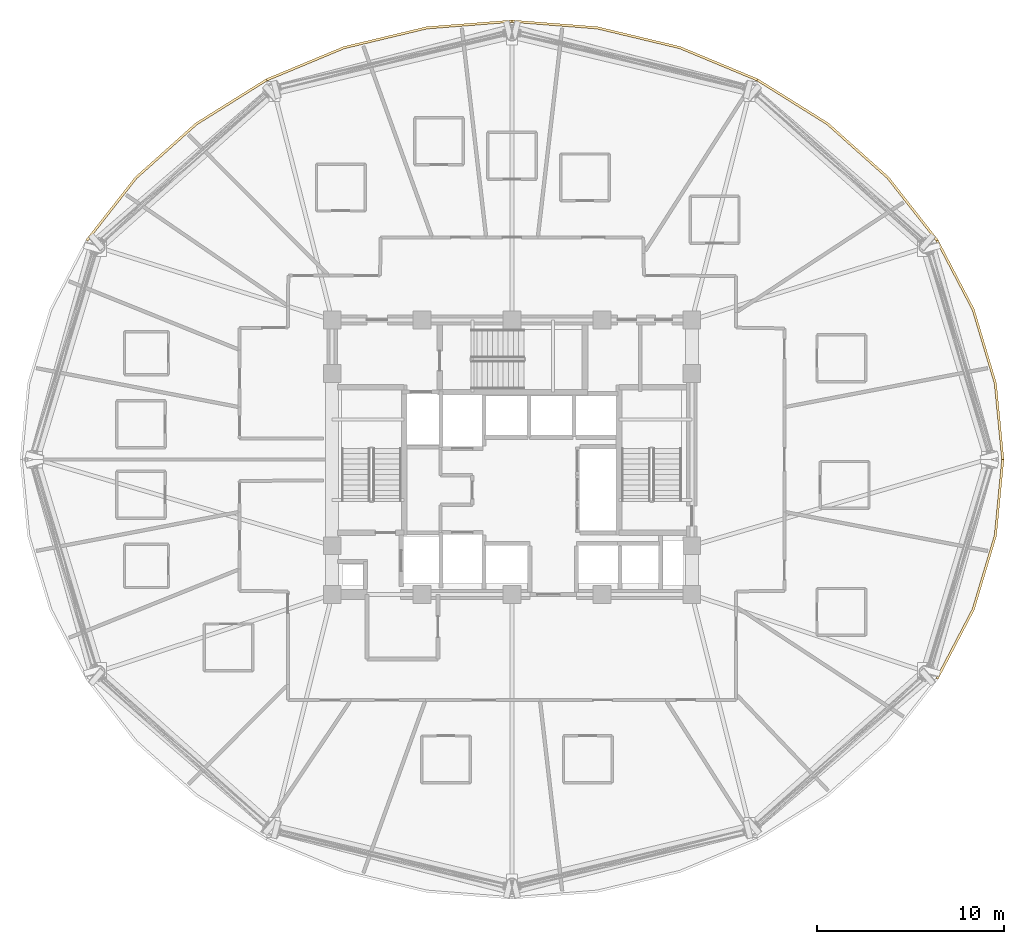
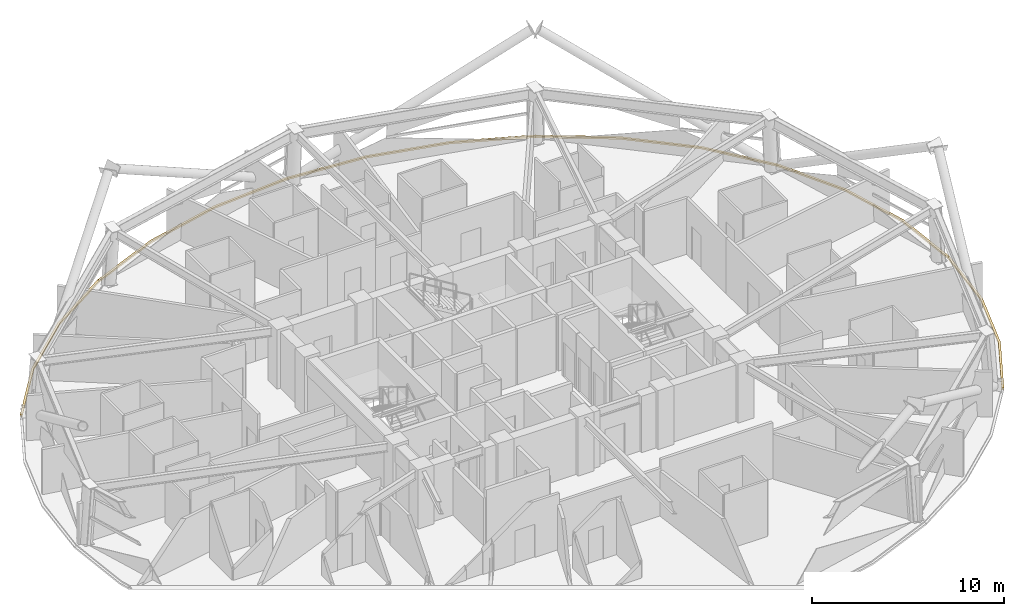
# One storey, part 14 of 14: 6 coverings.
"""IFC4 building model written with IfcOpenShell, lengths in metres."""

from ifc_helpers import new_model, si_unit, direction, frame, origin, place, context, subcontext, project, spatial, polyline, outline, extrude, material, layer, layer_set, type_object, element, save


model = new_model("IFC4")

# Units and contexts
model_context = context("Model", 3, precision=1e-05, world=origin(), true_north=direction((0.0, 1.0)))
body_context = subcontext(model_context, "Body", "Model", "MODEL_VIEW")
ifc_project = project(units=[si_unit("LENGTHUNIT", "METRE"), si_unit("AREAUNIT", "SQUARE_METRE"), si_unit("VOLUMEUNIT", "CUBIC_METRE"), si_unit("PLANEANGLEUNIT", "RADIAN"), si_unit("MASSUNIT", "GRAM", prefix="KILO")], contexts=[model_context])

# Site, building, storey
site_placement = place(None, origin())
site = spatial("IfcSite", under=ifc_project, at=site_placement, CompositionType="ELEMENT")
building_placement = place(site_placement, origin())
building = spatial("IfcBuilding", under=site, at=building_placement, Name="Vantalir Tower", CompositionType="ELEMENT")
storey_placement = place(building_placement, frame((0.0, 0.0, 112.199951171875)))
storey = spatial("IfcBuildingStorey", under=building, at=storey_placement, Name="L27", CompositionType="ELEMENT", Elevation=112.199951171875)

# Coverings
ifc_material = material(Name="Anodised champagne aluminium sill fascia", Category="aluminium")
ifc_layer = layer(ifc_material, 0.125)
ifc_layer_set = layer_set([ifc_layer], Name="Anodised champagne aluminium sill fascia")
covering_type = type_object("IfcCoveringType", Name="COV-SLAB-FASCIA-125", PredefinedType="CLADDING", material=ifc_layer_set)
covering_1_placement = place(storey_placement, frame((0.0, 0.0, -0.179931640625)))
element("IfcCovering", 1, at=covering_1_placement, inside=storey, type_object=covering_type, Name="L27 Perimeter Slab-Edge Sill Fascia 01", PredefinedType="CLADDING", context=body_context, shape_type="SweptSolid", body=[
    extrude(outline(polyline([(57.762939453125, 25.0), (57.364013671875, 29.073974609375), (56.178955078125, 33.02490234375), (54.243896484375, 36.73095703125), (54.135986328125, 36.6689453125), (56.06201171875, 32.98193359375), (57.240966796875, 29.052978515625), (57.637939453125, 25.0), (57.762939453125, 25.0)])), origin(), (0.0, 0.0, 1.0), 0.10498046875),
])
covering_2_placement = place(storey_placement, frame((0.0, 0.0, -0.179931640625)))
element("IfcCovering", 2, at=covering_2_placement, inside=storey, type_object=covering_type, Name="L27 Perimeter Slab-Edge Sill Fascia 02", PredefinedType="CLADDING", context=body_context, shape_type="SweptSolid", body=[
    extrude(outline(polyline([(54.243896484375, 36.73095703125), (51.618896484375, 40.08203125), (48.382080078125, 42.97412109375), (44.632080078125, 45.320068359375), (44.569091796875, 45.2109375), (48.301025390625, 42.8779296875), (51.52294921875, 40.0009765625), (54.135986328125, 36.6689453125), (54.243896484375, 36.73095703125)])), origin(), (0.0, 0.0, 1.0), 0.10498046875),
])
covering_3_placement = place(storey_placement, frame((0.0, 0.0, -0.179931640625)))
element("IfcCovering", 3, at=covering_3_placement, inside=storey, type_object=covering_type, Name="L27 Perimeter Slab-Edge Sill Fascia 03", PredefinedType="CLADDING", context=body_context, shape_type="SweptSolid", body=[
    extrude(outline(polyline([(44.632080078125, 45.320068359375), (40.48193359375, 47.048095703125), (36.06103515625, 48.10693359375), (31.5, 48.462890625), (31.5, 48.337890625), (36.0390625, 47.98291015625), (40.43994140625, 46.930908203125), (44.569091796875, 45.2109375), (44.632080078125, 45.320068359375)])), origin(), (0.0, 0.0, 1.0), 0.10498046875),
])
covering_4_placement = place(storey_placement, frame((0.0, 0.0, -0.179931640625)))
element("IfcCovering", 4, at=covering_4_placement, inside=storey, type_object=covering_type, Name="L27 Perimeter Slab-Edge Sill Fascia 04", PredefinedType="CLADDING", context=body_context, shape_type="SweptSolid", body=[
    extrude(outline(polyline([(31.5, 48.462890625), (26.93896484375, 48.10693359375), (22.51806640625, 47.048095703125), (18.368896484375, 45.320068359375), (18.430908203125, 45.2109375), (22.56005859375, 46.930908203125), (26.9609375, 47.98291015625), (31.5, 48.337890625), (31.5, 48.462890625)])), origin(), (0.0, 0.0, 1.0), 0.10498046875),
])
covering_5_placement = place(storey_placement, frame((0.0, 0.0, -0.179931640625)))
element("IfcCovering", 5, at=covering_5_placement, inside=storey, type_object=covering_type, Name="L27 Perimeter Slab-Edge Sill Fascia 05", PredefinedType="CLADDING", context=body_context, shape_type="SweptSolid", body=[
    extrude(outline(polyline([(18.368896484375, 45.320068359375), (14.617919921875, 42.97412109375), (11.381103515625, 40.08203125), (8.756103515625, 36.73095703125), (8.864013671875, 36.6689453125), (11.47705078125, 40.0009765625), (14.698974609375, 42.8779296875), (18.430908203125, 45.2109375), (18.368896484375, 45.320068359375)])), origin(), (0.0, 0.0, 1.0), 0.10498046875),
])
covering_6_placement = place(storey_placement, frame((0.0, 0.0, -0.179931640625)))
element("IfcCovering", 6, at=covering_6_placement, inside=storey, type_object=covering_type, Name="L27 Perimeter Slab-Edge Sill Fascia 12", PredefinedType="CLADDING", context=body_context, shape_type="SweptSolid", body=[
    extrude(outline(polyline([(54.243896484375, 13.26806640625), (56.178955078125, 16.97509765625), (57.364013671875, 20.926025390625), (57.762939453125, 25.0), (57.637939453125, 25.0), (57.240966796875, 20.947021484375), (56.06201171875, 17.01806640625), (54.135986328125, 13.3310546875), (54.243896484375, 13.26806640625)])), origin(), (0.0, 0.0, 1.0), 0.10498046875),
])

save(model, "model.ifc")
